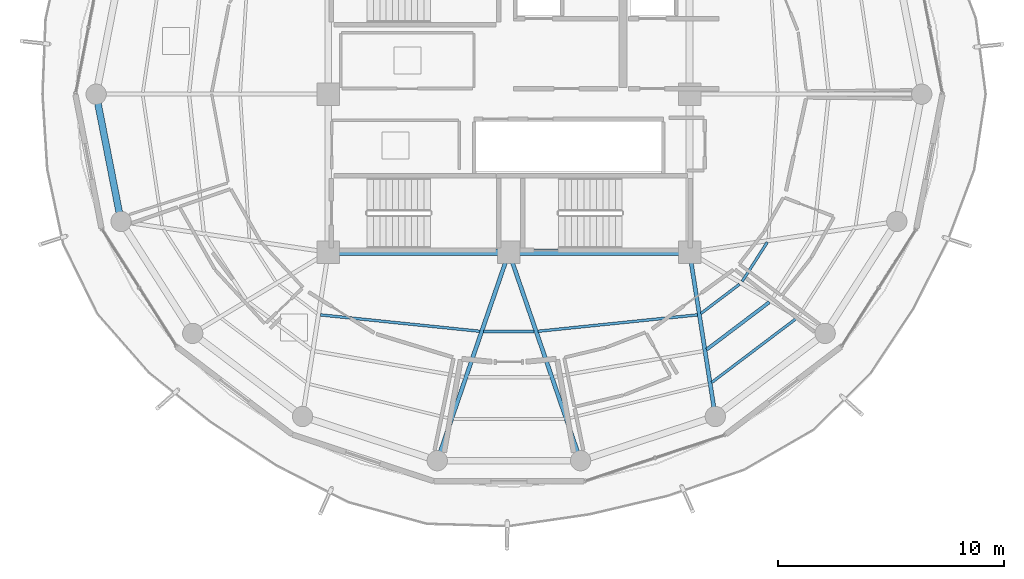
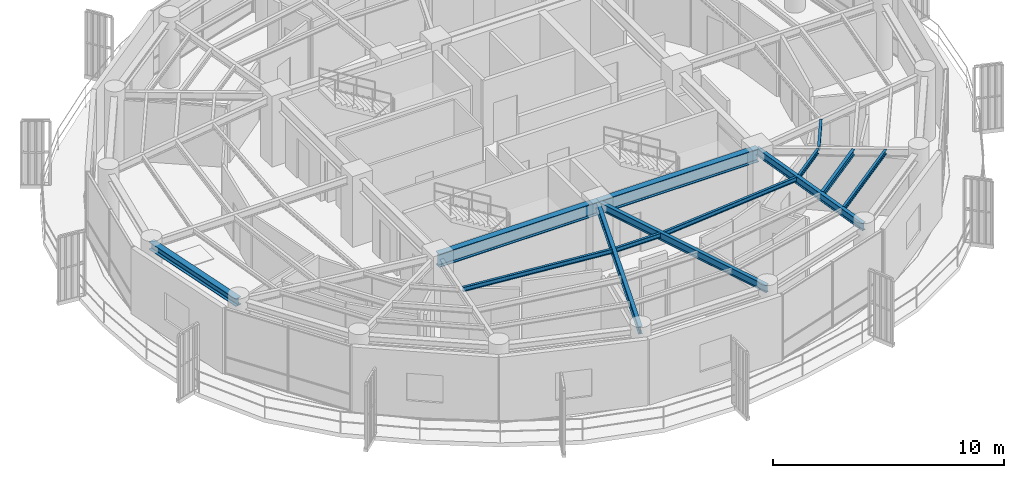
# One storey, part 4 of 22: 13 beams.
"""IFC4 building model written with IfcOpenShell, lengths in metres."""

from ifc_helpers import new_model, si_unit, direction, frame, origin, origin_2d, place, context, subcontext, project, spatial, i_section, extrude, material, material_profile, profile_set, type_object, element, save


model = new_model("IFC4")

# Units and contexts
model_context = context("Model", 3, precision=1e-05, world=origin(), true_north=direction((0.0, 1.0)))
body_context = subcontext(model_context, "Body", "Model", "MODEL_VIEW")
ifc_project = project(units=[si_unit("LENGTHUNIT", "METRE"), si_unit("AREAUNIT", "SQUARE_METRE"), si_unit("VOLUMEUNIT", "CUBIC_METRE"), si_unit("PLANEANGLEUNIT", "RADIAN"), si_unit("MASSUNIT", "GRAM", prefix="KILO")], contexts=[model_context])

# Site, building, storey
site_placement = place(None, origin())
site = spatial("IfcSite", under=ifc_project, at=site_placement, CompositionType="ELEMENT")
building_placement = place(site_placement, origin())
building = spatial("IfcBuilding", under=site, at=building_placement, Name="Kelanora Arch Commons", CompositionType="ELEMENT")
storey_placement = place(building_placement, frame((0.0, 0.0, 274.949951171875)))
storey = spatial("IfcBuildingStorey", under=building, at=storey_placement, Name="L70", CompositionType="ELEMENT", Elevation=274.949951171875)

# Beams
ifc_material = material(Name="Steel S355", Category="steel")
ifc_material_profile_1 = material_profile(ifc_material, i_section(OverallWidth=0.300048828125, OverallDepth=0.699951171875, WebThickness=0.01708984375, FlangeThickness=0.031982421875, FilletRadius=0.027099609375, at=origin_2d()), Name="HEB700")
ifc_profile_set_1 = profile_set([ifc_material_profile_1], Name="Steel S355")
beam_type_1 = type_object("IfcBeamType", Name="BM-CORE-HDR", PredefinedType="BEAM", material=ifc_profile_set_1)
for number, where, z_axis, x_axis, name in (
    (1, (66.0, 51.0, 3.14013671875), (1.0, 0.0, 0.0), (0.0, 1.0, 0.0), "Core Header Beam 01 L70"),
    (2, (74.0, 51.0, 3.14013671875), (1.0, 0.0, 0.0), (0.0, 1.0, 0.0), "Core Header Beam 02 L70"),
):
    element("IfcBeam", number, at=place(storey_placement, frame(where, z_axis=z_axis, x_axis=x_axis)), inside=storey, type_object=beam_type_1, Name=name, PredefinedType="BEAM", context=body_context, shape_type="SweptSolid", body=[
        extrude(i_section(OverallWidth=0.300048828125, OverallDepth=0.699951171875, WebThickness=0.01708984375, FlangeThickness=0.031982421875, FilletRadius=0.027099609375, at=origin_2d()), origin(), (0.0, 0.0, 1.0), 8.0),
    ])
ifc_material_profile_2 = material_profile(ifc_material, i_section(OverallWidth=0.14990234375, OverallDepth=0.300048828125, WebThickness=0.007080078125, FlangeThickness=0.0107421875, FilletRadius=0.014892578125, at=origin_2d()), Name="IPE300")
ifc_profile_set_2 = profile_set([ifc_material_profile_2], Name="Steel S355")
beam_type_2 = type_object("IfcBeamType", Name="BM-JST-01", PredefinedType="JOIST", material=ifc_profile_set_2)
beam_1_placement = place(storey_placement, frame((82.751708984375, 46.68798828125, 3.340087890625), z_axis=(0.797499198801, 0.603320004568, 0.0), x_axis=(-0.603320004568, 0.797499198801, 0.0)))
element("IfcBeam", 3, at=beam_1_placement, inside=storey, type_object=beam_type_2, Name="Secondary Chord Joist BJB-30 L70", PredefinedType="JOIST", context=body_context, shape_type="SweptSolid", body=[
    extrude(i_section(OverallWidth=0.14990234375, OverallDepth=0.300048828125, WebThickness=0.007080078125, FlangeThickness=0.0107421875, FilletRadius=0.014892578125, at=origin_2d()), origin(), (0.0, 0.0, 1.0), 3.489013671875),
])
ifc_material_profile_3 = material_profile(ifc_material, i_section(OverallWidth=0.1201171875, OverallDepth=0.239990234375, WebThickness=0.006103515625, FlangeThickness=0.009765625, FilletRadius=0.014892578125, at=origin_2d()), Name="IPE240")
ifc_profile_set_3 = profile_set([ifc_material_profile_3], Name="Steel S355")
beam_type_3 = type_object("IfcBeamType", Name="BM-JST-02", PredefinedType="JOIST", material=ifc_profile_set_3)
beam_2_placement = place(storey_placement, frame((65.6513671875, 48.227783203125, 3.3701171875), z_axis=(0.994746545688, -0.102368500239, 0.0), x_axis=(0.102368500239, 0.994746545688, 0.0)))
element("IfcBeam", 4, at=beam_2_placement, inside=storey, type_object=beam_type_3, Name="Secondary Chord Joist BJA-24 L70", PredefinedType="JOIST", context=body_context, shape_type="SweptSolid", body=[
    extrude(i_section(OverallWidth=0.1201171875, OverallDepth=0.239990234375, WebThickness=0.006103515625, FlangeThickness=0.009765625, FilletRadius=0.014892578125, at=origin_2d()), origin(), (0.0, 0.0, 1.0), 7.09521484375),
])
beam_3_placement = place(storey_placement, frame((72.87890625, 47.492919921875, 3.3701171875), z_axis=(1.0, 0.0, 0.0), x_axis=(0.0, 1.0, 0.0)))
element("IfcBeam", 5, at=beam_3_placement, inside=storey, type_object=beam_type_3, Name="Secondary Chord Joist BJA-26 L70", PredefinedType="JOIST", context=body_context, shape_type="SweptSolid", body=[
    extrude(i_section(OverallWidth=0.1201171875, OverallDepth=0.239990234375, WebThickness=0.006103515625, FlangeThickness=0.009765625, FilletRadius=0.014892578125, at=origin_2d()), origin(), (0.0, 0.0, 1.0), 2.2421875),
])
beam_4_placement = place(storey_placement, frame((75.290771484375, 47.50146484375, 3.3701171875), z_axis=(0.994746545688, 0.102368500239, 0.0), x_axis=(-0.102368500239, 0.994746545688, 0.0)))
element("IfcBeam", 6, at=beam_4_placement, inside=storey, type_object=beam_type_3, Name="Secondary Chord Joist BJA-28 L70", PredefinedType="JOIST", context=body_context, shape_type="SweptSolid", body=[
    extrude(i_section(OverallWidth=0.1201171875, OverallDepth=0.239990234375, WebThickness=0.006103515625, FlangeThickness=0.009765625, FilletRadius=0.014892578125, at=origin_2d()), origin(), (0.0, 0.0, 1.0), 7.09521484375),
])
beam_5_placement = place(storey_placement, frame((82.5009765625, 48.287841796875, 3.3701171875), z_axis=(0.797509883882, 0.603305880222, 0.0), x_axis=(-0.603305880222, 0.797509883882, 0.0)))
element("IfcBeam", 7, at=beam_5_placement, inside=storey, type_object=beam_type_3, Name="Secondary Chord Joist BJA-30 L70", PredefinedType="JOIST", context=body_context, shape_type="SweptSolid", body=[
    extrude(i_section(OverallWidth=0.1201171875, OverallDepth=0.239990234375, WebThickness=0.006103515625, FlangeThickness=0.009765625, FilletRadius=0.014892578125, at=origin_2d()), origin(), (0.0, 0.0, 1.0), 2.147216796875),
])
beam_6_placement = place(storey_placement, frame((82.979736328125, 45.233642578125, 3.3701171875), z_axis=(0.79752302984, 0.60328850219, 0.0), x_axis=(-0.60328850219, 0.79752302984, 0.0)))
element("IfcBeam", 8, at=beam_6_placement, inside=storey, type_object=beam_type_3, Name="Secondary Chord Joist BJC-30 L70", PredefinedType="JOIST", context=body_context, shape_type="SweptSolid", body=[
    extrude(i_section(OverallWidth=0.1201171875, OverallDepth=0.239990234375, WebThickness=0.006103515625, FlangeThickness=0.009765625, FilletRadius=0.014892578125, at=origin_2d()), origin(), (0.0, 0.0, 1.0), 4.70849609375),
])
beam_7_placement = place(storey_placement, frame((84.3271484375, 49.706298828125, 3.3701171875), z_axis=(0.539311810315, 0.842106152011, 0.0), x_axis=(-0.842106152011, 0.539311810315, 0.0)))
element("IfcBeam", 9, at=beam_7_placement, inside=storey, type_object=beam_type_3, Name="Secondary Chord Joist BJA-32 L70", PredefinedType="JOIST", context=body_context, shape_type="SweptSolid", body=[
    extrude(i_section(OverallWidth=0.1201171875, OverallDepth=0.239990234375, WebThickness=0.006103515625, FlangeThickness=0.009765625, FilletRadius=0.014892578125, at=origin_2d()), origin(), (0.0, 0.0, 1.0), 2.06640625),
])
ifc_material_profile_4 = material_profile(ifc_material, i_section(OverallWidth=0.179931640625, OverallDepth=0.39990234375, WebThickness=0.008544921875, FlangeThickness=0.013427734375, FilletRadius=0.02099609375, at=origin_2d()), Name="IPE400")
ifc_profile_set_4 = profile_set([ifc_material_profile_4], Name="Steel S355")
beam_type_4 = type_object("IfcBeamType", Name="BM-RAD-Z5", PredefinedType="BEAM", material=ifc_profile_set_4)
for number, where, z_axis, x_axis, name in (
    (10, (74.0, 51.0, 3.2900390625), (-0.325233562807, -0.945633718532, 0.0), (0.945633718532, -0.325233562807, 0.0), "Radial Floor Girder BR-26 L70"),
    (11, (74.0, 51.0, 3.2900390625), (0.325233562807, -0.945633718532, 0.0), (0.945633718532, 0.325233562807, 0.0), "Radial Floor Girder BR-28 L70"),
):
    element("IfcBeam", number, at=place(storey_placement, frame(where, z_axis=z_axis, x_axis=x_axis)), inside=storey, type_object=beam_type_4, Name=name, PredefinedType="BEAM", context=body_context, shape_type="SweptSolid", body=[
        extrude(i_section(OverallWidth=0.179931640625, OverallDepth=0.39990234375, WebThickness=0.008544921875, FlangeThickness=0.013427734375, FilletRadius=0.02099609375, at=origin_2d()), origin(), (0.0, 0.0, 1.0), 9.760009765625),
    ])
beam_8_placement = place(storey_placement, frame((82.0, 51.0, 3.2900390625), z_axis=(0.154855424129, -0.987937142544, 0.0), x_axis=(0.987937142544, 0.154855424129, 0.0)))
element("IfcBeam", 12, at=beam_8_placement, inside=storey, type_object=beam_type_4, Name="Radial Floor Girder BR-30 L70", PredefinedType="BEAM", context=body_context, shape_type="SweptSolid", body=[
    extrude(i_section(OverallWidth=0.179931640625, OverallDepth=0.39990234375, WebThickness=0.008544921875, FlangeThickness=0.013427734375, FilletRadius=0.02099609375, at=origin_2d()), origin(), (0.0, 0.0, 1.0), 7.361083984375),
])
ifc_material_profile_5 = material_profile(ifc_material, i_section(OverallWidth=0.300048828125, OverallDepth=0.39990234375, WebThickness=0.013427734375, FlangeThickness=0.02392578125, FilletRadius=0.027099609375, at=origin_2d()), Name="HEB400")
ifc_profile_set_5 = profile_set([ifc_material_profile_5], Name="Steel S355")
beam_type_5 = type_object("IfcBeamType", Name="BM-SPN-Z4", PredefinedType="SPANDREL", material=ifc_profile_set_5)
beam_9_placement = place(storey_placement, frame((55.719970703125, 58.0, 3.2900390625), z_axis=(0.191969774604, -0.981400838413, 0.0), x_axis=(0.981400838413, 0.191969774604, 0.0)))
element("IfcBeam", 13, at=beam_9_placement, inside=storey, type_object=beam_type_5, Name="Perimeter Spandrel Beam BS-18 L70", PredefinedType="SPANDREL", context=body_context, shape_type="SweptSolid", body=[
    extrude(i_section(OverallWidth=0.300048828125, OverallDepth=0.39990234375, WebThickness=0.013427734375, FlangeThickness=0.02392578125, FilletRadius=0.027099609375, at=origin_2d()), origin(), (0.0, 0.0, 1.0), 5.743408203125),
])

save(model, "model.ifc")
